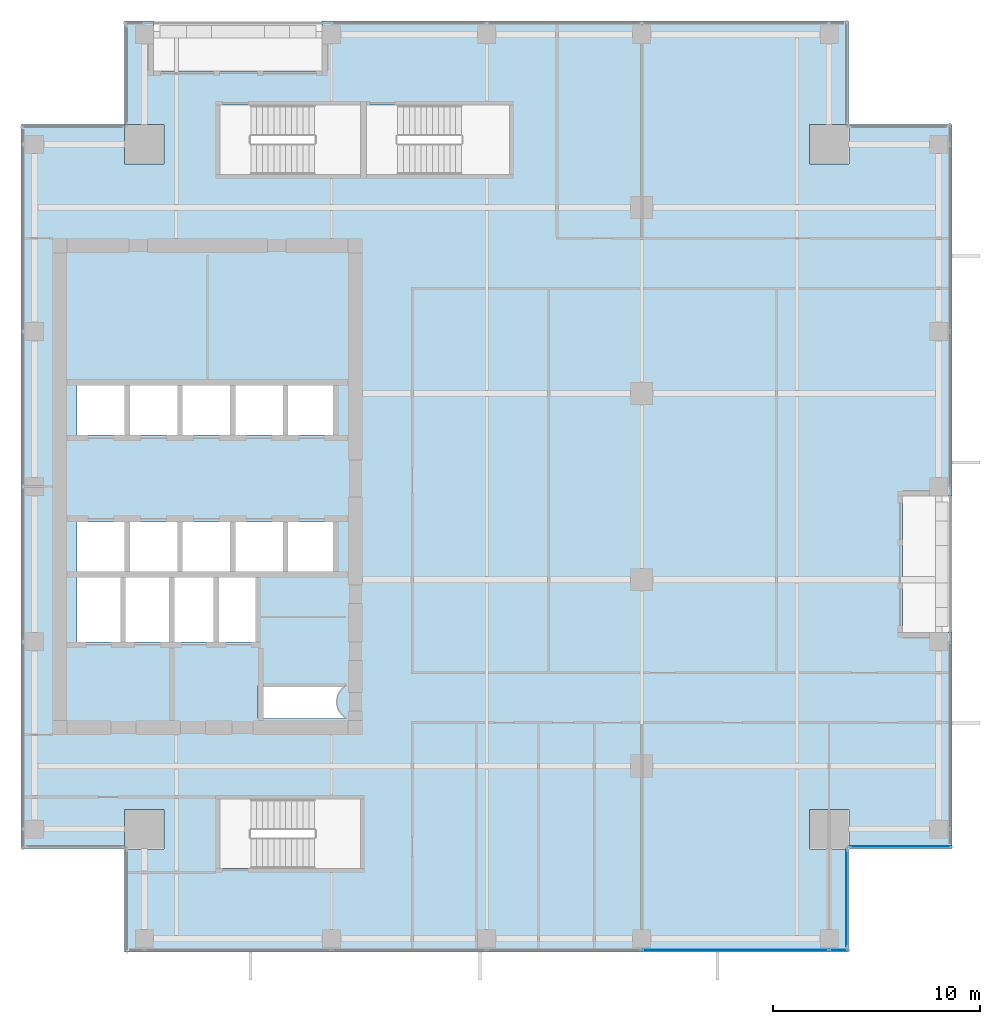
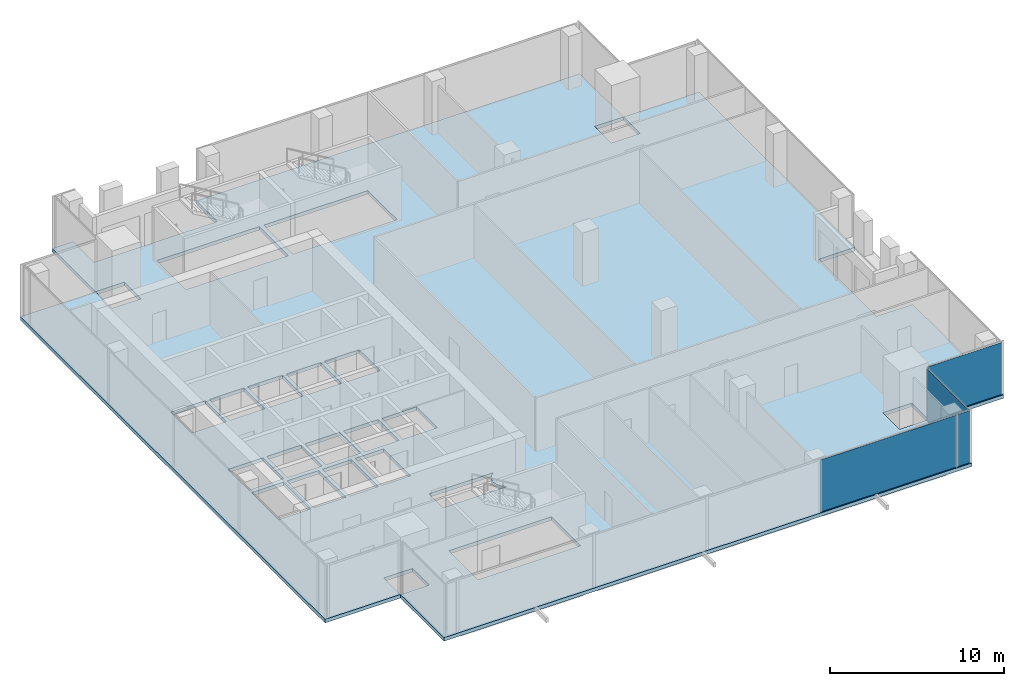
# One storey, part 27 of 36: 4 plates, 1 slab, 3 elements without a shape of their own.
"""IFC4 building model written with IfcOpenShell, lengths in metres."""

from ifc_helpers import new_model, si_unit, direction, frame, origin, origin_2d, place, context, subcontext, project, spatial, polyline, rectangle, outline, extrude, source, transform, mapped, material, layer, layer_set, type_object, element, aggregate, save


model = new_model("IFC4")

# Units and contexts
model_context = context("Model", 3, precision=1e-05, world=origin(), true_north=direction((0.0, 1.0)))
body_context = subcontext(model_context, "Body", "Model", "MODEL_VIEW")
ifc_project = project(units=[si_unit("LENGTHUNIT", "METRE"), si_unit("AREAUNIT", "SQUARE_METRE"), si_unit("VOLUMEUNIT", "CUBIC_METRE"), si_unit("PLANEANGLEUNIT", "RADIAN"), si_unit("MASSUNIT", "GRAM", prefix="KILO")], contexts=[model_context])

# Site, building, storey
site_placement = place(None, origin())
site = spatial("IfcSite", under=ifc_project, at=site_placement, CompositionType="ELEMENT")
building_placement = place(site_placement, origin())
building = spatial("IfcBuilding", under=site, at=building_placement, Name="Khomas Fold Tower", CompositionType="ELEMENT")
storey_placement = place(building_placement, frame((0.0, 0.0, 230.199951171875)))
storey = spatial("IfcBuildingStorey", under=building, at=storey_placement, Name="L51", CompositionType="ELEMENT", Elevation=230.199951171875)

# Slab
ifc_material_1 = material(Name="Concrete C40/50", Category="concrete")
ifc_layer_1 = layer(ifc_material_1, 0.25)
ifc_layer_set_1 = layer_set([ifc_layer_1], Name="Concrete C40/50")
slab_type = type_object("IfcSlabType", Name="RC floor slab 250", PredefinedType="FLOOR", material=ifc_layer_set_1)
shared_shape_1 = source(origin(), body_context, "Body", "SweptSolid", [
    extrude(outline(polyline([(4.5, 9.5), (9.4951171875, 9.5), (9.4951171875, 11.405029296875), (11.405029296875, 11.405029296875), (11.405029296875, 9.4951171875), (9.5, 9.4951171875), (9.5, 4.5), (44.5, 4.5), (44.5, 9.4951171875), (42.594970703125, 9.4951171875), (42.594970703125, 11.405029296875), (44.5048828125, 11.405029296875), (44.5048828125, 9.5), (49.5, 9.5), (49.5, 19.949951171875), (47.10009765625, 19.949951171875), (47.10009765625, 26.550048828125), (49.5, 26.550048828125), (49.5, 44.5), (44.5048828125, 44.5), (44.5048828125, 42.594970703125), (42.594970703125, 42.594970703125), (42.594970703125, 44.5048828125), (44.5, 44.5048828125), (44.5, 49.5), (19.050048828125, 49.5), (19.050048828125, 47.10009765625), (10.89990234375, 47.10009765625), (10.89990234375, 49.5), (9.5, 49.5), (9.5, 44.5048828125), (11.405029296875, 44.5048828125), (11.405029296875, 42.594970703125), (9.4951171875, 42.594970703125), (9.4951171875, 44.5), (4.5, 44.5), (4.5, 9.5)]), holes=[polyline([(7.199951171875, 19.5), (7.199951171875, 22.60009765625), (9.300048828125, 22.60009765625), (9.300048828125, 19.5), (7.199951171875, 19.5)]), polyline([(7.199951171875, 22.89990234375), (7.199951171875, 25.300048828125), (9.5, 25.300048828125), (9.5, 22.89990234375), (7.199951171875, 22.89990234375)]), polyline([(7.199951171875, 29.5), (7.199951171875, 31.89990234375), (9.5, 31.89990234375), (9.5, 29.5), (7.199951171875, 29.5)]), polyline([(9.550048828125, 19.5), (9.550048828125, 22.60009765625), (11.64990234375, 22.60009765625), (11.64990234375, 19.5), (9.550048828125, 19.5)]), polyline([(9.75, 22.89990234375), (9.75, 25.300048828125), (12.050048828125, 25.300048828125), (12.050048828125, 22.89990234375), (9.75, 22.89990234375)]), polyline([(9.75, 29.5), (9.75, 31.89990234375), (12.050048828125, 31.89990234375), (12.050048828125, 29.5), (9.75, 29.5)]), polyline([(11.89990234375, 19.5), (11.89990234375, 22.60009765625), (13.800048828125, 22.60009765625), (13.800048828125, 19.5), (11.89990234375, 19.5)]), polyline([(12.300048828125, 22.89990234375), (12.300048828125, 25.300048828125), (14.60009765625, 25.300048828125), (14.60009765625, 22.89990234375), (12.300048828125, 22.89990234375)]), polyline([(12.300048828125, 29.5), (12.300048828125, 31.89990234375), (14.60009765625, 31.89990234375), (14.60009765625, 29.5), (12.300048828125, 29.5)]), polyline([(14.050048828125, 19.5), (14.050048828125, 22.60009765625), (15.949951171875, 22.60009765625), (15.949951171875, 19.5), (14.050048828125, 19.5)]), polyline([(14.10009765625, 8.550048828125), (14.10009765625, 11.89990234375), (20.89990234375, 11.89990234375), (20.89990234375, 8.550048828125), (14.10009765625, 8.550048828125)]), polyline([(14.10009765625, 42.10009765625), (14.10009765625, 45.449951171875), (20.89990234375, 45.449951171875), (20.89990234375, 42.10009765625), (14.10009765625, 42.10009765625)]), polyline([(14.85009765625, 22.89990234375), (14.85009765625, 25.300048828125), (17.14990234375, 25.300048828125), (17.14990234375, 22.89990234375), (14.85009765625, 22.89990234375)]), polyline([(14.85009765625, 29.5), (14.85009765625, 31.89990234375), (17.14990234375, 31.89990234375), (17.14990234375, 29.5), (14.85009765625, 29.5)]), polyline([(15.949951171875, 15.800048828125), (15.949951171875, 17.39990234375), (20.199951171875, 17.39990234375), (20.199951171875, 17.37841796875), (20.14990234375, 17.348388671875), (20.0791015625, 17.295654296875), (20.013671875, 17.236328125), (19.954345703125, 17.1708984375), (19.901611328125, 17.10009765625), (19.856201171875, 17.0244140625), (19.818603515625, 16.9443359375), (19.788818359375, 16.861328125), (19.767333984375, 16.775634765625), (19.75439453125, 16.688232421875), (19.75, 16.60009765625), (19.75439453125, 16.51171875), (19.767333984375, 16.42431640625), (19.788818359375, 16.338623046875), (19.818603515625, 16.255615234375), (19.856201171875, 16.17578125), (19.901611328125, 16.10009765625), (19.954345703125, 16.029052734375), (20.013671875, 15.963623046875), (20.0791015625, 15.904296875), (20.14990234375, 15.851806640625), (20.199951171875, 15.82177734375), (20.199951171875, 15.800048828125), (15.949951171875, 15.800048828125)]), polyline([(17.39990234375, 22.89990234375), (17.39990234375, 25.300048828125), (19.699951171875, 25.300048828125), (19.699951171875, 22.89990234375), (17.39990234375, 22.89990234375)]), polyline([(17.39990234375, 29.5), (17.39990234375, 31.89990234375), (19.699951171875, 31.89990234375), (19.699951171875, 29.5), (17.39990234375, 29.5)]), polyline([(21.199951171875, 42.10009765625), (21.199951171875, 45.449951171875), (28.10009765625, 45.449951171875), (28.10009765625, 42.10009765625), (21.199951171875, 42.10009765625)])]), origin(), (0.0, 0.0, 1.0), 0.25),
])
slab_placement = place(storey_placement, frame((0.0, 0.0, -0.25)))
element("IfcSlab", 1, at=slab_placement, inside=storey, type_object=slab_type, Name="S-L51", PredefinedType="FLOOR", context=body_context, shape_type="MappedRepresentation", body=[
    mapped(shared_shape_1, transform((0.0, 0.0, 0.0))),
])

# Curtain wall, plates
ifc_material_2 = material(Name="Aluminium framed double glazing", Category="aluminium")
curtain_wall_type = type_object("IfcCurtainWallType", Name="SK-Unitised clear-glass wall, office floors CW2", PredefinedType="NOTDEFINED", material=ifc_material_2)
curtain_wall_1_placement = place(storey_placement, origin())
curtain_wall_1 = element("IfcCurtainWall", 2, at=curtain_wall_1_placement, inside=storey, type_object=curtain_wall_type, Name="CW2 run L51 00-0", PredefinedType="NOTDEFINED")
ifc_material_3 = material(Name="Clear double glazed unit")
ifc_layer_2 = layer(ifc_material_3, 0.030029296875)
ifc_layer_set_2 = layer_set([ifc_layer_2], Name="Clear double glazed unit")
plate_type = type_object("IfcPlateType", Name="SK-Unitised clear-glass wall, office floors glass panel CW2-P", PredefinedType="CURTAIN_PANEL", material=ifc_layer_set_2)
shared_shape_2 = source(origin(), body_context, "Body", "SweptSolid", [
    extrude(rectangle(XDim=0.860107421875, YDim=0.030029296875, at=origin_2d()), origin(), (0.0, 0.0, 1.0), 3.639892578125),
])
plate_1_placement = place(storey_placement, frame((44.010009765625, 4.60009765625, 0.0), z_axis=(0.0, 0.0, 1.0), x_axis=(1.0, 0.0, 0.0)))
plate_1 = element("IfcPlate", 3, at=plate_1_placement, type_object=plate_type, Name="CW2 glass panel 6", PredefinedType="CURTAIN_PANEL", context=body_context, shape_type="MappedRepresentation", body=[
    mapped(shared_shape_2, transform((0.0, 0.0, 0.0))),
])
shared_shape_3 = source(origin(), body_context, "Body", "SweptSolid", [
    extrude(rectangle(XDim=8.989990234375, YDim=0.030029296875, at=origin_2d()), origin(), (0.0, 0.0, 1.0), 3.639892578125),
])
plate_2_placement = place(storey_placement, frame((39.02490234375, 4.60009765625, 0.0), z_axis=(0.0, 0.0, 1.0), x_axis=(1.0, 0.0, 0.0)))
plate_2 = element("IfcPlate", 4, at=plate_2_placement, type_object=plate_type, Name="CW2 glass panel 5", PredefinedType="CURTAIN_PANEL", context=body_context, shape_type="MappedRepresentation", body=[
    mapped(shared_shape_3, transform((0.0, 0.0, 0.0))),
])
aggregate(curtain_wall_1, [plate_2, plate_1])

# Curtain wall, plate
curtain_wall_2_placement = place(storey_placement, origin())
curtain_wall_2 = element("IfcCurtainWall", 5, at=curtain_wall_2_placement, inside=storey, type_object=curtain_wall_type, Name="CW2 corner return L51 01", PredefinedType="NOTDEFINED")
shared_shape_4 = source(origin(), body_context, "Body", "SweptSolid", [
    extrude(rectangle(XDim=4.679931640625, YDim=0.030029296875, at=origin_2d()), origin(), (0.0, 0.0, 1.0), 3.639892578125),
])
plate_3_placement = place(storey_placement, frame((44.39990234375, 7.10009765625, 0.0), z_axis=(0.0, 0.0, 1.0), x_axis=(0.0, 1.0, 0.0)))
plate_3 = element("IfcPlate", 6, at=plate_3_placement, type_object=plate_type, Name="CW2 glass panel 1", PredefinedType="CURTAIN_PANEL", context=body_context, shape_type="MappedRepresentation", body=[
    mapped(shared_shape_4, transform((0.0, 0.0, 0.0))),
])
aggregate(curtain_wall_2, [plate_3])

curtain_wall_3_placement = place(storey_placement, origin())
curtain_wall_3 = element("IfcCurtainWall", 7, at=curtain_wall_3_placement, inside=storey, type_object=curtain_wall_type, Name="CW2 corner return L51 02", PredefinedType="NOTDEFINED")
shared_shape_5 = source(origin(), body_context, "Body", "SweptSolid", [
    extrude(rectangle(XDim=4.8798828125, YDim=0.030029296875, at=origin_2d()), origin(), (0.0, 0.0, 1.0), 3.639892578125),
])
plate_4_placement = place(storey_placement, frame((47.0, 9.60009765625, 0.0), z_axis=(0.0, 0.0, 1.0), x_axis=(1.0, 0.0, 0.0)))
plate_4 = element("IfcPlate", 8, at=plate_4_placement, type_object=plate_type, Name="CW2 glass panel 1", PredefinedType="CURTAIN_PANEL", context=body_context, shape_type="MappedRepresentation", body=[
    mapped(shared_shape_5, transform((0.0, 0.0, 0.0))),
])
aggregate(curtain_wall_3, [plate_4])

save(model, "model.ifc")
